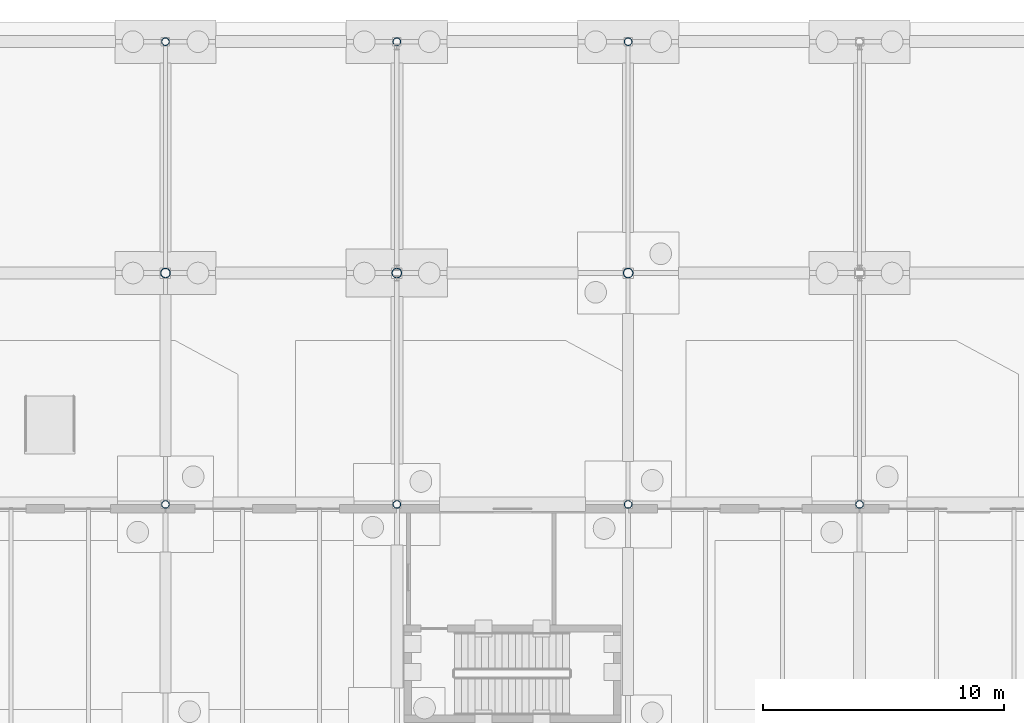
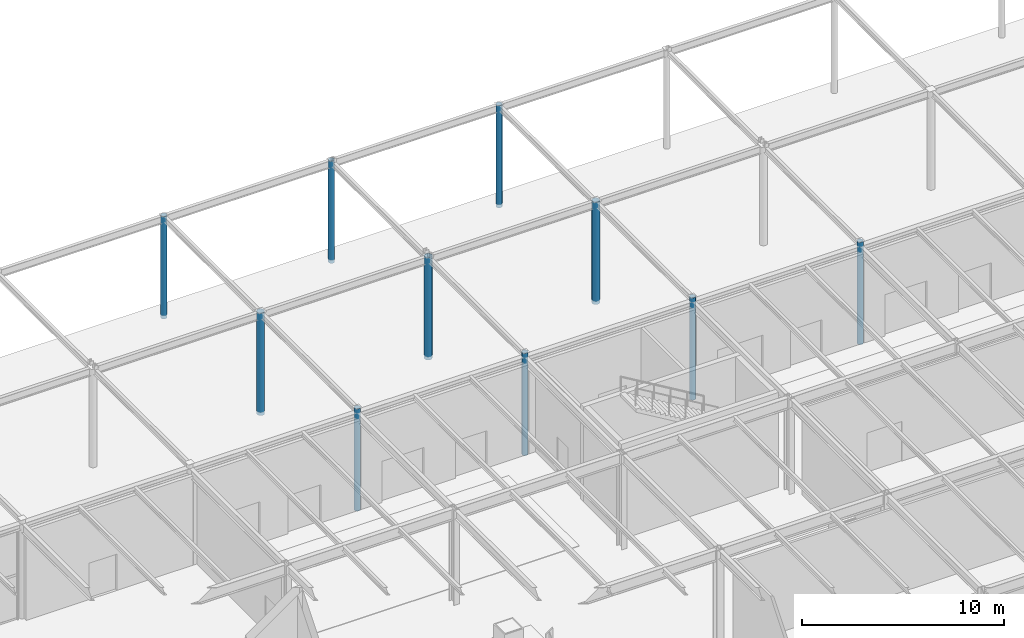
# One storey, part 19 of 142: 10 columns.
"""IFC4 building model written with IfcOpenShell, lengths in metres."""

from ifc_helpers import new_model, si_unit, direction, frame, origin, origin_2d, place, context, subcontext, project, spatial, hollow_circle, extrude, material, material_profile, profile_set, type_object, element, save


model = new_model("IFC4")

# Units and contexts
model_context = context("Model", 3, precision=1e-05, world=origin(), true_north=direction((0.0, 1.0)))
body_context = subcontext(model_context, "Body", "Model", "MODEL_VIEW")
ifc_project = project(units=[si_unit("LENGTHUNIT", "METRE"), si_unit("AREAUNIT", "SQUARE_METRE"), si_unit("VOLUMEUNIT", "CUBIC_METRE"), si_unit("PLANEANGLEUNIT", "RADIAN"), si_unit("MASSUNIT", "GRAM", prefix="KILO")], contexts=[model_context])

# Site, building, storey
site_placement = place(None, origin())
site = spatial("IfcSite", under=ifc_project, at=site_placement, CompositionType="ELEMENT")
building_placement = place(site_placement, origin())
building = spatial("IfcBuilding", under=site, at=building_placement, Name="Coralgate Yard Interchange", CompositionType="ELEMENT")
storey_placement = place(building_placement, origin())
storey = spatial("IfcBuildingStorey", under=building, at=storey_placement, Name="L00", CompositionType="ELEMENT", Elevation=0.0)

# Columns
ifc_material = material(Name="Structural steel S355J2", Category="steel")
ifc_material_profile_1 = material_profile(ifc_material, hollow_circle(Radius=0.203125, WallThickness=0.01611328125, at=origin_2d()), Name="CHS 406.4x16")
ifc_profile_set_1 = profile_set([ifc_material_profile_1], Name="Structural steel S355J2")
column_type_1 = type_object("IfcColumnType", Name="COL-SC-12", PredefinedType="COLUMN", material=ifc_profile_set_1)
for number, where, z_axis, x_axis, name in (
    (1, (67.199951171875, 105.60009765625, -0.199951171875), (0.0, 0.0, 1.0), (1.0, 0.0, 0.0), "L00 wave-canopy steel column 7-11"),
    (2, (76.800048828125, 105.60009765625, -0.199951171875), (0.0, 0.0, 1.0), (1.0, 0.0, 0.0), "L00 wave-canopy steel column 8-11"),
    (3, (86.39990234375, 105.60009765625, -0.199951171875), (0.0, 0.0, 1.0), (1.0, 0.0, 0.0), "L00 wave-canopy steel column 9-11"),
):
    element("IfcColumn", number, at=place(storey_placement, frame(where, z_axis=z_axis, x_axis=x_axis)), inside=storey, type_object=column_type_1, Name=name, PredefinedType="COLUMN", context=body_context, shape_type="SweptSolid", body=[
        extrude(hollow_circle(Radius=0.203125, WallThickness=0.01611328125, at=origin_2d()), origin(), (0.0, 0.0, 1.0), 6.199951171875),
    ])
ifc_material_profile_2 = material_profile(ifc_material, hollow_circle(Radius=0.161865234375, WallThickness=0.012451171875, at=origin_2d()), Name="CHS 323.9x12.5")
ifc_profile_set_2 = profile_set([ifc_material_profile_2], Name="Structural steel S355J2")
column_type_2 = type_object("IfcColumnType", Name="COL-SC-13", PredefinedType="COLUMN", material=ifc_profile_set_2)
for number, where, z_axis, x_axis, name in (
    (4, (67.199951171875, 96.0, -0.199951171875), (0.0, 0.0, 1.0), (1.0, 0.0, 0.0), "L00 wave-canopy steel column 7-10"),
    (5, (67.199951171875, 115.199951171875, -0.199951171875), (0.0, 0.0, 1.0), (1.0, 0.0, 0.0), "L00 wave-canopy steel column 7-12"),
    (6, (76.800048828125, 96.0, -0.199951171875), (0.0, 0.0, 1.0), (1.0, 0.0, 0.0), "L00 wave-canopy steel column 8-10"),
    (7, (76.800048828125, 115.199951171875, -0.199951171875), (0.0, 0.0, 1.0), (1.0, 0.0, 0.0), "L00 wave-canopy steel column 8-12"),
    (8, (86.39990234375, 96.0, -0.199951171875), (0.0, 0.0, 1.0), (1.0, 0.0, 0.0), "L00 wave-canopy steel column 9-10"),
    (9, (86.39990234375, 115.199951171875, -0.199951171875), (0.0, 0.0, 1.0), (1.0, 0.0, 0.0), "L00 wave-canopy steel column 9-12"),
    (10, (96.0, 96.0, -0.199951171875), (0.0, 0.0, 1.0), (1.0, 0.0, 0.0), "L00 wave-canopy steel column 10-10"),
):
    element("IfcColumn", number, at=place(storey_placement, frame(where, z_axis=z_axis, x_axis=x_axis)), inside=storey, type_object=column_type_2, Name=name, PredefinedType="COLUMN", context=body_context, shape_type="SweptSolid", body=[
        extrude(hollow_circle(Radius=0.161865234375, WallThickness=0.012451171875, at=origin_2d()), origin(), (0.0, 0.0, 1.0), 6.199951171875),
    ])

save(model, "model.ifc")
